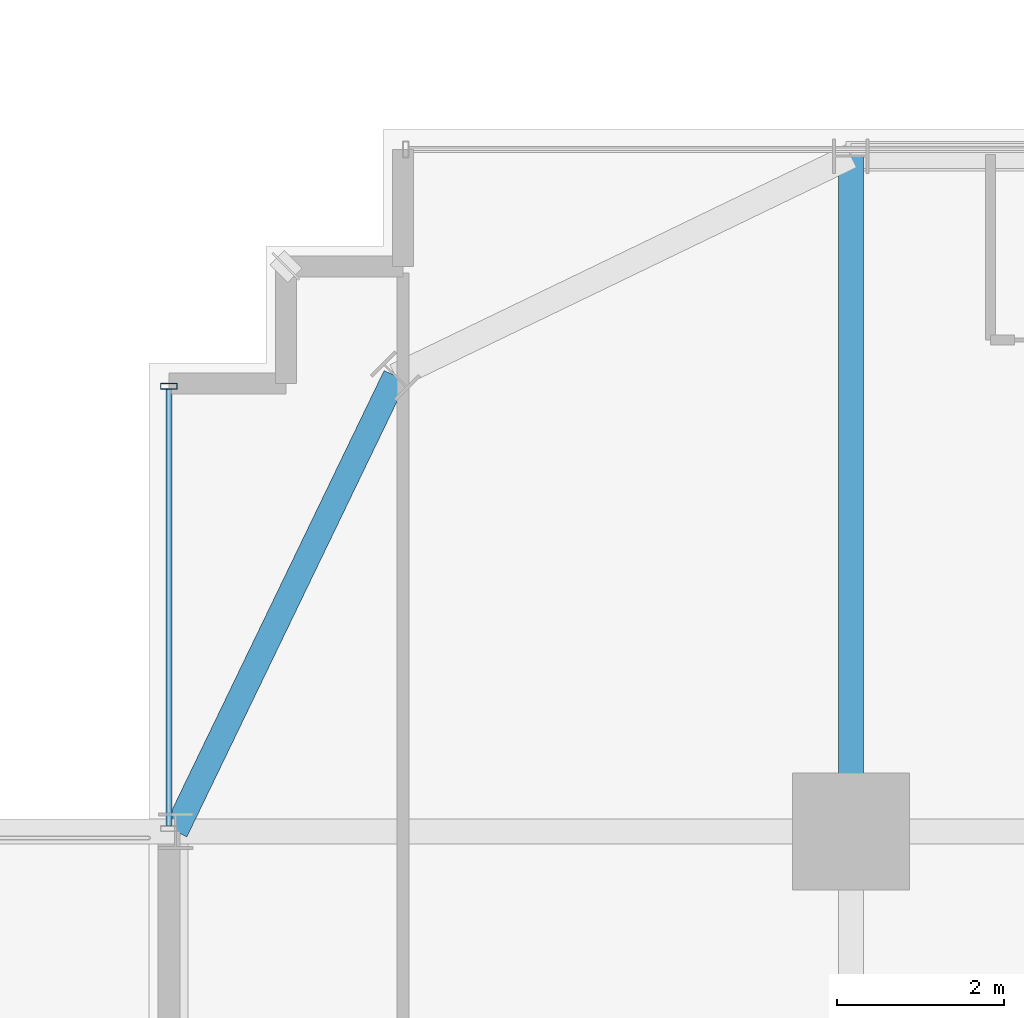
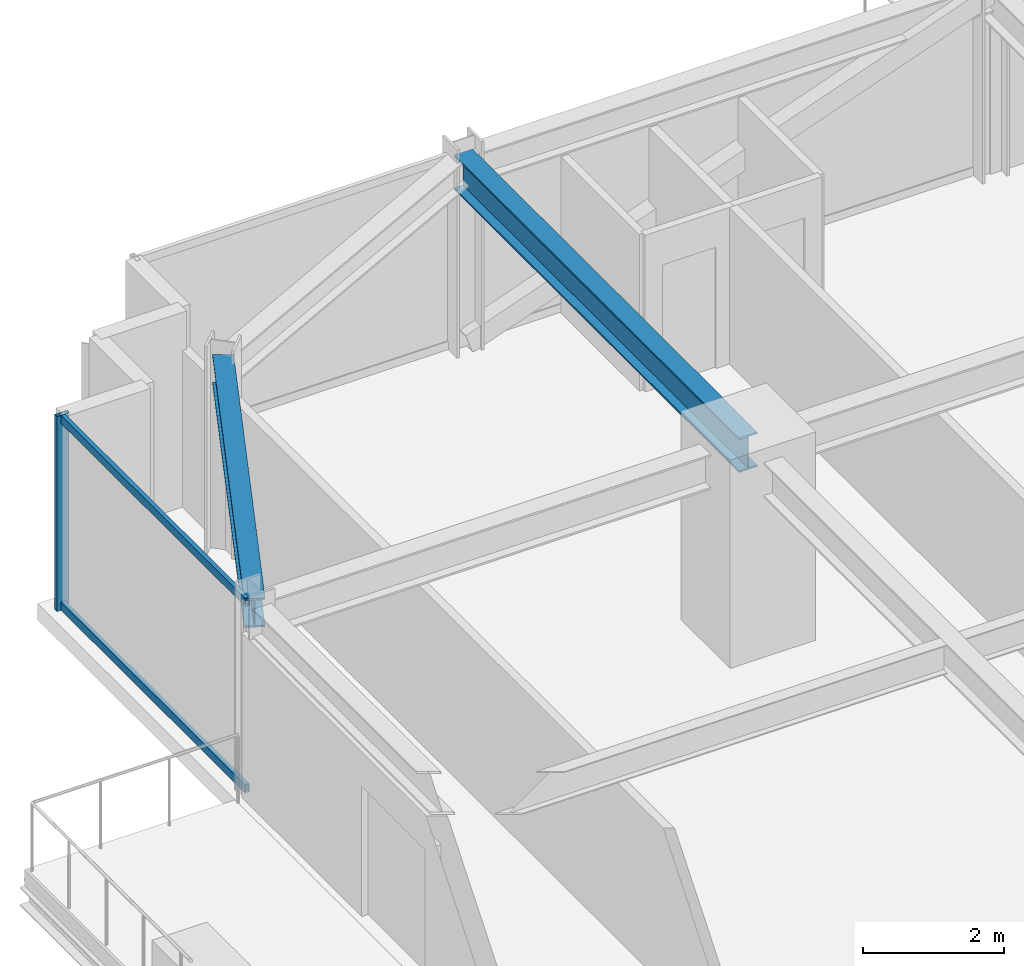
# One storey, part 22 of 43: 3 members, 2 beams, 1 element without a shape of its own.
"""IFC4 building model written with IfcOpenShell, lengths in metres."""

import ifcopenshell
import ifcopenshell.guid

model = None  # the IFC model being written
_history = None  # IfcOwnerHistory: only IFC2X3 demands one
_inside = {}  # id of a spatial element -> (the spatial element, [elements in it])
_under = {}  # id of a project, library or spatial element -> (it, [spatial elements below it])
_declared = {}  # id of a project -> (the project, [libraries it declares])
_typed = {}  # id of a type object -> (the type object, [elements of that type])
_made_of = {}  # id of a material, layer set ... -> (it, [elements and type objects made of it])


def new_model(schema):
    """Start an empty IFC model of exactly this schema.

    Asked for "IFC4X3", IfcOpenShell would pick the latest addendum, in which some entities
    have other attributes; the version numbers below select the first issue.
    IFC2X3 requires an IfcOwnerHistory on every rooted entity: one is made here for all.
    """
    global model, _history
    if schema == "IFC4X3":
        model = ifcopenshell.file(schema_version=(4, 3, 0, 0))
    else:
        model = ifcopenshell.file(schema=schema)
    _inside.clear()
    _under.clear()
    _declared.clear()
    _typed.clear()
    _made_of.clear()
    _history = None
    if model.schema == "IFC2X3":
        org = make("IfcOrganization", Name="unknown")
        user = make(
            "IfcPersonAndOrganization",
            ThePerson=make("IfcPerson", FamilyName="unknown"),
            TheOrganization=org,
        )
        app = make(
            "IfcApplication",
            ApplicationDeveloper=org,
            Version="unknown",
            ApplicationFullName="unknown",
            ApplicationIdentifier="unknown",
        )
        _history = make(
            "IfcOwnerHistory",
            OwningUser=user,
            OwningApplication=app,
            ChangeAction="ADDED",
            CreationDate=0,
        )
    return model


def make(cls, **values):
    """One entity of the class cls with the attributes given. An attribute that is None is left unset."""
    return model.create_entity(
        cls, **{name: value for name, value in values.items() if value is not None}
    )


def rooted(cls, **values):
    """An entity with a GlobalId (a new one), such as an element, a storey or a relation."""
    return make(cls, GlobalId=ifcopenshell.guid.new(), OwnerHistory=_history, **values)


def si_unit(unit_type, name, prefix=None):
    """IfcSIUnit, for example si_unit("LENGTHUNIT", "METRE", prefix="MILLI")."""
    return make("IfcSIUnit", UnitType=unit_type, Prefix=prefix, Name=name)


def assignment(units):
    """IfcUnitAssignment: the units of a project."""
    return None if units is None else make("IfcUnitAssignment", Units=units)


def point(xyz):
    """IfcCartesianPoint."""
    return None if xyz is None else make("IfcCartesianPoint", Coordinates=xyz)


def direction(xyz):
    """IfcDirection."""
    return None if xyz is None else make("IfcDirection", DirectionRatios=xyz)


def frame(location, z_axis=None, x_axis=None):
    """IfcAxis2Placement3D, a coordinate frame: its origin and axes. An axis left out is left unset."""
    return make(
        "IfcAxis2Placement3D",
        Location=point(location),
        Axis=direction(z_axis),
        RefDirection=direction(x_axis),
    )


def frame_2d(location, x_axis=None):
    """IfcAxis2Placement2D, a coordinate frame in the plane: its origin and x axis."""
    return make(
        "IfcAxis2Placement2D", Location=point(location), RefDirection=direction(x_axis)
    )


def origin():
    """The frame at (0, 0, 0) with its axes left unset."""
    return frame((0.0, 0.0, 0.0))


def origin_2d():
    """The frame at (0, 0) in the plane with its x axis left unset."""
    return frame_2d((0.0, 0.0))


def place(relative_to, where):
    """IfcLocalPlacement: puts the frame where relative to a parent placement (None: the world)."""
    return make(
        "IfcLocalPlacement", PlacementRelTo=relative_to, RelativePlacement=where
    )


def context(
    kind, dimensions, precision=None, world=None, true_north=None, identifier=None
):
    """IfcGeometricRepresentationContext, for example the 3D "Model" context."""
    return make(
        "IfcGeometricRepresentationContext",
        ContextIdentifier=identifier,
        ContextType=kind,
        CoordinateSpaceDimension=dimensions,
        Precision=precision,
        WorldCoordinateSystem=world,
        TrueNorth=true_north,
    )


def subcontext(parent, identifier, kind, view, scale=None):
    """IfcGeometricRepresentationSubContext, for example "Body" below "Model"."""
    return make(
        "IfcGeometricRepresentationSubContext",
        ContextIdentifier=identifier,
        ContextType=kind,
        ParentContext=parent,
        TargetScale=scale,
        TargetView=view,
    )


def project(units=None, contexts=None):
    """IfcProject with its units and contexts."""
    return rooted(
        "IfcProject",
        Name="project",
        RepresentationContexts=contexts,
        UnitsInContext=assignment(units),
    )


def spatial(cls, under=None, at=None, **own):
    """A site, building, storey or space (cls), placed at a placement, below another one or the project."""
    s = rooted(cls, ObjectPlacement=at, **own)
    if under is not None:
        _under.setdefault(under.id(), (under, []))[1].append(s)
    return s


def profile(cls, at=None, kind="AREA", **sizes):
    """A parametric profile (cls). Its sizes go by their IFC names, for example OverallWidth=200.0."""
    return make(cls, ProfileType=kind, Position=at, **sizes)


def hollow_rectangle(**sizes):
    """IfcRectangleHollowProfileDef."""
    return profile("IfcRectangleHollowProfileDef", **sizes)


def i_section(**sizes):
    """IfcIShapeProfileDef."""
    return profile("IfcIShapeProfileDef", **sizes)


def extrude(swept, where, along, depth):
    """IfcExtrudedAreaSolid: the profile swept, set in the frame where, extruded along a direction by depth."""
    return make(
        "IfcExtrudedAreaSolid",
        SweptArea=swept,
        Position=where,
        ExtrudedDirection=direction(along),
        Depth=depth,
    )


def shape(context_of_items, identifier, shape_type, items):
    """IfcShapeRepresentation: the items that make up one representation, for example the "Body"."""
    return make(
        "IfcShapeRepresentation",
        ContextOfItems=context_of_items,
        RepresentationIdentifier=identifier,
        RepresentationType=shape_type,
        Items=items,
    )


def source(mapping_origin, context_of_items, identifier, shape_type, items):
    """IfcRepresentationMap: a shape defined once, which mapped items show again and again."""
    return make(
        "IfcRepresentationMap",
        MappingOrigin=mapping_origin,
        MappedRepresentation=shape(context_of_items, identifier, shape_type, items),
    )


def transform(
    local_origin,
    x_axis=None,
    y_axis=None,
    z_axis=None,
    scale=None,
    scale2=None,
    scale3=None,
    uniform=True,
):
    """IfcCartesianTransformationOperator3D, or its non-uniform kind. x_axis, y_axis, z_axis: its Axis1, 2, 3."""
    if uniform:
        return make(
            "IfcCartesianTransformationOperator3D",
            Axis1=direction(x_axis),
            Axis2=direction(y_axis),
            LocalOrigin=point(local_origin),
            Scale=scale,
            Axis3=direction(z_axis),
        )
    return make(
        "IfcCartesianTransformationOperator3DnonUniform",
        Axis1=direction(x_axis),
        Axis2=direction(y_axis),
        LocalOrigin=point(local_origin),
        Scale=scale,
        Axis3=direction(z_axis),
        Scale2=scale2,
        Scale3=scale3,
    )


def mapped(mapping_source, mapping_target):
    """IfcMappedItem: shows the shape of a source again, moved by a transform."""
    return make(
        "IfcMappedItem", MappingSource=mapping_source, MappingTarget=mapping_target
    )


def material(Name=None, Category=None):
    """IfcMaterial."""
    return make("IfcMaterial", Name=Name, Category=Category)


def material_profile(
    of_material, cross_section, Name=None, Category=None, Priority=None
):
    """IfcMaterialProfile: a cross section and its material."""
    return make(
        "IfcMaterialProfile",
        Name=Name,
        Material=of_material,
        Profile=cross_section,
        Priority=Priority,
        Category=Category,
    )


def profile_set(profiles, Name=None, composite=None):
    """IfcMaterialProfileSet."""
    return make(
        "IfcMaterialProfileSet",
        Name=Name,
        MaterialProfiles=profiles,
        CompositeProfile=composite,
    )


def made_of(thing, what):
    """Note that an element or type object is made of a material, layer set ...; save() writes the relation."""
    if what is not None:
        _made_of.setdefault(what.id(), (what, []))[1].append(thing)
    return thing


def type_object(cls, material=None, **own):
    """A type object (cls), such as IfcWallType, which elements share."""
    return made_of(rooted(cls, **own), material)


def element(
    cls,
    number,
    at=None,
    inside=None,
    cuts=None,
    type_object=None,
    material=None,
    context=None,
    identifier="Body",
    shape_type=None,
    held_by="IfcProductDefinitionShape",
    body=None,
    shapes=None,
    **own,
):
    """One element of the class cls, such as IfcWall. Its Tag is "e" and its number.

    at: its placement. inside: the storey or other place that contains it. cuts: it is an
    opening in that element (IfcRelVoidsElement). A single representation is given by context,
    identifier, shape_type and body (its items); several are given by shapes. held_by: the class
    of the entity that holds the representations. save() writes the other relations.
    """
    e = rooted(cls, Tag="e%d" % number, ObjectPlacement=at, **own)
    if body is not None:
        shapes = [shape(context, identifier, shape_type, body)]
    if shapes is not None:
        e.Representation = make(held_by, Representations=shapes)
    if inside is not None:
        _inside.setdefault(inside.id(), (inside, []))[1].append(e)
    if cuts is not None:
        rooted(
            "IfcRelVoidsElement", RelatingBuildingElement=cuts, RelatedOpeningElement=e
        )
    if type_object is not None:
        _typed.setdefault(type_object.id(), (type_object, []))[1].append(e)
    return made_of(e, material)


def aggregate(whole, parts):
    """IfcRelAggregates: a whole, such as a stair, and the parts it consists of."""
    return rooted("IfcRelAggregates", RelatingObject=whole, RelatedObjects=parts)


def save(model, path):
    """Write the relations noted so far, then the file.

    IfcRelAggregates (storeys below a building ...), IfcRelContainedInSpatialStructure (elements
    in a storey), IfcRelDefinesByType, IfcRelAssociatesMaterial and IfcRelDeclares: one each for
    every whole, place, type object, material and project.
    """
    for whole, parts in _under.values():
        aggregate(whole, parts)
    for where, things in _inside.values():
        rooted(
            "IfcRelContainedInSpatialStructure",
            RelatedElements=things,
            RelatingStructure=where,
        )
    for kind, things in _typed.values():
        rooted("IfcRelDefinesByType", RelatedObjects=things, RelatingType=kind)
    for what, things in _made_of.values():
        rooted("IfcRelAssociatesMaterial", RelatedObjects=things, RelatingMaterial=what)
    for by, libraries in _declared.values():
        rooted("IfcRelDeclares", RelatingContext=by, RelatedDefinitions=libraries)
    model.write(path)


model = new_model("IFC4")

# Units and contexts
model_context = context("Model", 3, precision=1e-05, world=origin(), true_north=direction((0.0, 1.0)))
body_context = subcontext(model_context, "Body", "Model", "MODEL_VIEW")
ifc_project = project(units=[si_unit("LENGTHUNIT", "METRE"), si_unit("AREAUNIT", "SQUARE_METRE"), si_unit("VOLUMEUNIT", "CUBIC_METRE"), si_unit("PLANEANGLEUNIT", "RADIAN"), si_unit("MASSUNIT", "GRAM", prefix="KILO")], contexts=[model_context])

# Site, building, storey
site_placement = place(None, origin())
site = spatial("IfcSite", under=ifc_project, at=site_placement, CompositionType="ELEMENT")
building_placement = place(site_placement, origin())
building = spatial("IfcBuilding", under=site, at=building_placement, Name="Nahalor Promenade Grand Hotel", CompositionType="ELEMENT")
storey_placement = place(building_placement, frame((0.0, 0.0, 47.0)))
storey = spatial("IfcBuildingStorey", under=building, at=storey_placement, Name="L10", CompositionType="ELEMENT", Elevation=47.0)

# Beams
ifc_material_1 = material(Name="Steel S355JR", Category="steel")
ifc_material_profile_1 = material_profile(ifc_material_1, i_section(OverallWidth=0.3, OverallDepth=0.6, WebThickness=0.0155, FlangeThickness=0.03, at=origin_2d()), Name="HEB 600")
ifc_profile_set_1 = profile_set([ifc_material_profile_1], Name="Steel S355JR")
beam_type_1 = type_object("IfcBeamType", Name="Beam-Girder-HEB600", PredefinedType="BEAM", material=ifc_profile_set_1)
shared_shape_1 = source(origin(), body_context, "Body", "SweptSolid", [
    extrude(i_section(OverallWidth=0.3, OverallDepth=0.6, WebThickness=0.0155, FlangeThickness=0.03, at=origin_2d()), origin(), (0.0, 0.0, 1.0), 8.080078125),
])
beam_1_placement = place(storey_placement, frame((-17.0, 17.0, 3.070068359375), z_axis=(0.0, 1.0, 0.0), x_axis=(-1.0, 0.0, 0.0)))
element("IfcBeam", 1, at=beam_1_placement, inside=storey, type_object=beam_type_1, Name="BM-L10-GY-0-4", PredefinedType="BEAM", context=body_context, shape_type="MappedRepresentation", body=[
    mapped(shared_shape_1, transform((0.0, 0.0, 0.0), scale=1.0)),
])
ifc_material_profile_2 = material_profile(ifc_material_1, i_section(OverallWidth=0.3, OverallDepth=0.5, WebThickness=0.0145, FlangeThickness=0.028, at=origin_2d()), Name="HEB 500")
ifc_profile_set_2 = profile_set([ifc_material_profile_2], Name="Steel S355JR")
beam_type_2 = type_object("IfcBeamType", Name="Beam-Spandrel-HEB500", PredefinedType="SPANDREL", material=ifc_profile_set_2)
shared_shape_2 = source(origin(), body_context, "Body", "SweptSolid", [
    extrude(i_section(OverallWidth=0.3, OverallDepth=0.5, WebThickness=0.0145, FlangeThickness=0.028, at=origin_2d()), origin(), (0.0, 0.0, 1.0), 6.051513671875),
])
beam_2_placement = place(storey_placement, frame((-22.449951171875, 22.449951171875, 3.1201171875), z_axis=(-0.434630596492, -0.900608818852, 0.0), x_axis=(0.900608818852, -0.434630596492, 0.0)))
element("IfcBeam", 2, at=beam_2_placement, inside=storey, type_object=beam_type_2, Name="BM-L10-SPC-NW-2", PredefinedType="SPANDREL", context=body_context, shape_type="MappedRepresentation", body=[
    mapped(shared_shape_2, transform((0.0, 0.0, 0.0), scale=1.0)),
])

# Curtain wall, members
ifc_material_2 = material(Name="Anodised Bronze Aluminium EN AW-6063 T6", Category="aluminium")
curtain_wall_type = type_object("IfcCurtainWallType", Name="CW3 Elliptical-Void Collar Unitised Curtain Wall", PredefinedType="USERDEFINED", material=ifc_material_2)
curtain_wall_placement = place(storey_placement, origin())
curtain_wall = element("IfcCurtainWall", 3, at=curtain_wall_placement, inside=storey, type_object=curtain_wall_type, Name="L10 Curtain Wall CW-L10-W-4", ObjectType="UNITISED_CURTAIN_WALL", PredefinedType="USERDEFINED")
ifc_material_profile_3 = material_profile(ifc_material_2, hollow_rectangle(XDim=0.07, YDim=0.14, WallThickness=0.004, at=origin_2d()), Name="CWT 70x140x4")
ifc_profile_set_3 = profile_set([ifc_material_profile_3], Name="Anodised Bronze Aluminium EN AW-6063 T6")
member_type_1 = type_object("IfcMemberType", Name="CWT3 Void Collar Transom 70x140", PredefinedType="USERDEFINED", material=ifc_profile_set_3)
shared_shape_3 = source(origin(), body_context, "Body", "SweptSolid", [
    extrude(hollow_rectangle(XDim=0.07, YDim=0.14, WallThickness=0.004, at=origin_2d()), origin(), (0.0, 0.0, 1.0), 5.219970703125),
])
member_1_placement = place(storey_placement, frame((-25.159912109375, 17.070068359375, 0.070068359375), z_axis=(0.0, 1.0, 0.0), x_axis=(-1.0, 0.0, 0.0)))
member_1 = element("IfcMember", 4, at=member_1_placement, type_object=member_type_1, Name="CW-L10-W-4 Transom 0-0", ObjectType="TRANSOM", PredefinedType="USERDEFINED", context=body_context, shape_type="MappedRepresentation", body=[
    mapped(shared_shape_3, transform((0.0, 0.0, 0.0), scale=1.0)),
])
member_2_placement = place(storey_placement, frame((-25.159912109375, 17.070068359375, 3.300048828125), z_axis=(0.0, 1.0, 0.0), x_axis=(-1.0, 0.0, 0.0)))
member_2 = element("IfcMember", 5, at=member_2_placement, type_object=member_type_1, Name="CW-L10-W-4 Transom 0-1", ObjectType="TRANSOM", PredefinedType="USERDEFINED", context=body_context, shape_type="MappedRepresentation", body=[
    mapped(shared_shape_3, transform((0.0, 0.0, 0.0), scale=1.0)),
])
ifc_material_profile_4 = material_profile(ifc_material_2, hollow_rectangle(XDim=0.07, YDim=0.2, WallThickness=0.005, at=origin_2d()), Name="CWM 70x200x5")
ifc_profile_set_4 = profile_set([ifc_material_profile_4], Name="Anodised Bronze Aluminium EN AW-6063 T6")
member_type_2 = type_object("IfcMemberType", Name="CWM3 Void Collar Mullion 70x200", PredefinedType="MULLION", material=ifc_profile_set_4)
shared_shape_4 = source(origin(), body_context, "Body", "SweptSolid", [
    extrude(hollow_rectangle(XDim=0.07, YDim=0.2, WallThickness=0.005, at=origin_2d()), origin(), (0.0, 0.0, 1.0), 3.3701171875),
])
member_3_placement = place(storey_placement, frame((-25.159912109375, 22.324951171875, 0.0), z_axis=(0.0, 0.0, 1.0), x_axis=(0.0, 1.0, 0.0)))
member_3 = element("IfcMember", 6, at=member_3_placement, type_object=member_type_2, Name="CW-L10-W-4 Mullion 1", PredefinedType="MULLION", context=body_context, shape_type="MappedRepresentation", body=[
    mapped(shared_shape_4, transform((0.0, 0.0, 0.0), scale=1.0)),
])
aggregate(curtain_wall, [member_3, member_1, member_2])

save(model, "model.ifc")
